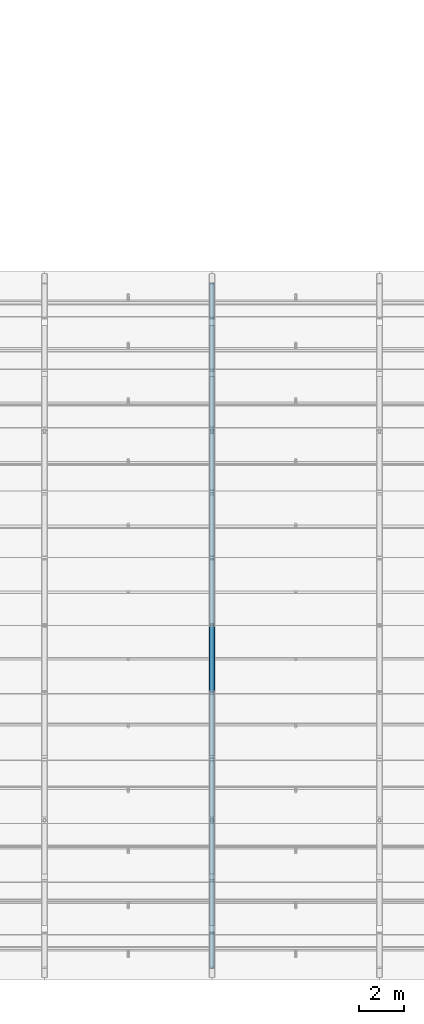
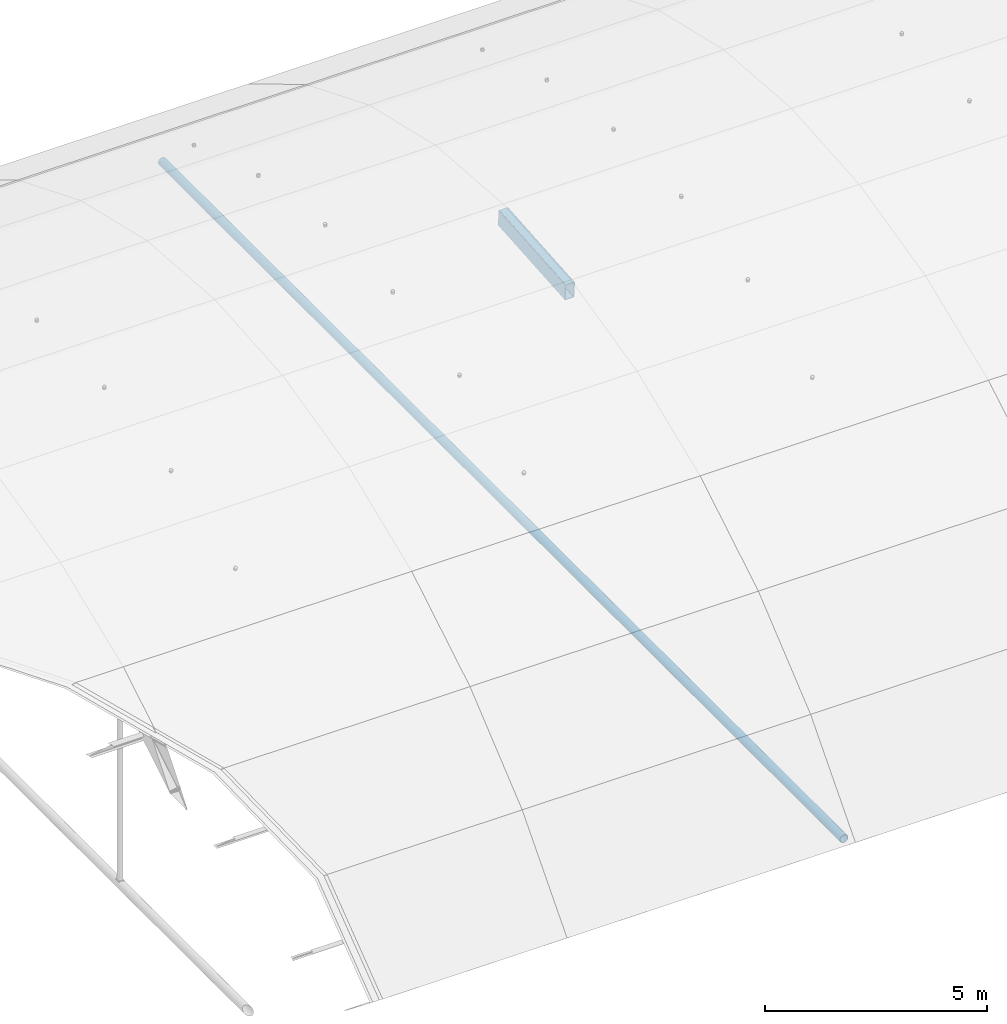
# One storey, part 11 of 77: 1 beam, 1 member.
"""IFC4 building model written with IfcOpenShell, lengths in metres."""

from ifc_helpers import new_model, si_unit, direction, frame, origin, origin_2d, place, context, subcontext, project, spatial, hollow_rectangle, hollow_circle, extrude, material, material_profile, profile_set, type_object, element, save


model = new_model("IFC4")

# Units and contexts
model_context = context("Model", 3, precision=1e-05, world=origin(), true_north=direction((0.0, 1.0)))
body_context = subcontext(model_context, "Body", "Model", "MODEL_VIEW")
ifc_project = project(units=[si_unit("LENGTHUNIT", "METRE"), si_unit("AREAUNIT", "SQUARE_METRE"), si_unit("VOLUMEUNIT", "CUBIC_METRE"), si_unit("PLANEANGLEUNIT", "RADIAN"), si_unit("MASSUNIT", "GRAM", prefix="KILO")], contexts=[model_context])

# Site, building, storey
site_placement = place(None, origin())
site = spatial("IfcSite", under=ifc_project, at=site_placement, CompositionType="ELEMENT")
building_placement = place(site_placement, origin())
building = spatial("IfcBuilding", under=site, at=building_placement, Name="Yukiwa Park Conservatory and Herbarium", CompositionType="ELEMENT")
storey_placement = place(building_placement, frame((0.0, 0.0, 13.199951171875)))
storey = spatial("IfcBuildingStorey", under=building, at=storey_placement, Name="L03", CompositionType="ELEMENT", Elevation=13.199951171875)

# Beam
ifc_material_1 = material(Name="Steel Q355D", Category="steel")
ifc_material_profile_1 = material_profile(ifc_material_1, hollow_rectangle(XDim=0.25, YDim=0.449951171875, WallThickness=0.013916015625, InnerFilletRadius=0.013916015625, OuterFilletRadius=0.028076171875, at=origin_2d()), Name="RHS 450x250x14")
ifc_profile_set_1 = profile_set([ifc_material_profile_1], Name="Steel Q355D")
beam_type = type_object("IfcBeamType", Name="BM-VLT-ARCH450", PredefinedType="BEAM", material=ifc_profile_set_1)
beam_placement = place(storey_placement, frame((22.5, 12.598388671875, 3.36767578125), z_axis=(0.0, 0.997015721433, 0.077198777292), x_axis=(-1.0, 0.0, 0.0)))
element("IfcBeam", 1, at=beam_placement, inside=storey, type_object=beam_type, Name="Conservatory barrel vault arch rib 4 chord 6", PredefinedType="BEAM", context=body_context, shape_type="SweptSolid", body=[
    extrude(hollow_rectangle(XDim=0.25, YDim=0.449951171875, WallThickness=0.013916015625, InnerFilletRadius=0.013916015625, OuterFilletRadius=0.028076171875, at=origin_2d()), origin(), (0.0, 0.0, 1.0), 3.0107421875),
])

# Member
ifc_material_2 = material(Name="Steel Q355D", Category="steel")
ifc_material_profile_2 = material_profile(ifc_material_2, hollow_circle(Radius=0.109619140625, WallThickness=0.011962890625, at=origin_2d()), Name="CHS 219.1x12")
ifc_profile_set_2 = profile_set([ifc_material_profile_2], Name="Steel Q355D")
member_type = type_object("IfcMemberType", Name="MB-VLT-TIE219", PredefinedType="COLLAR", material=ifc_profile_set_2)
member_placement = place(storey_placement, frame((22.5, 0.2451171875, -4.199951171875), z_axis=(0.0, 1.0, 0.0), x_axis=(-1.0, 0.0, 0.0)))
element("IfcMember", 2, at=member_placement, inside=storey, type_object=member_type, Name="Conservatory vault springing tension tie 4", PredefinedType="COLLAR", context=body_context, shape_type="SweptSolid", body=[
    extrude(hollow_circle(Radius=0.109619140625, WallThickness=0.011962890625, at=origin_2d()), origin(), (0.0, 0.0, 1.0), 30.7099609375),
])

save(model, "model.ifc")
